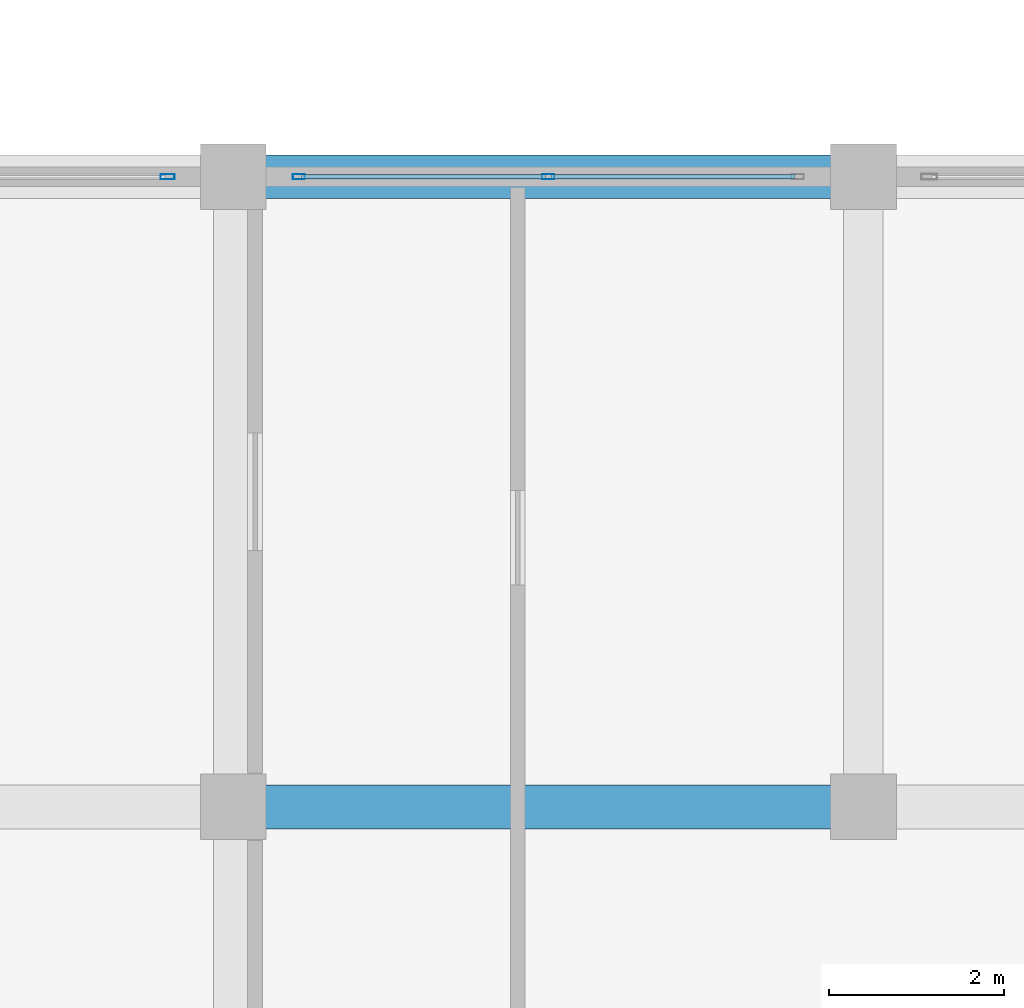
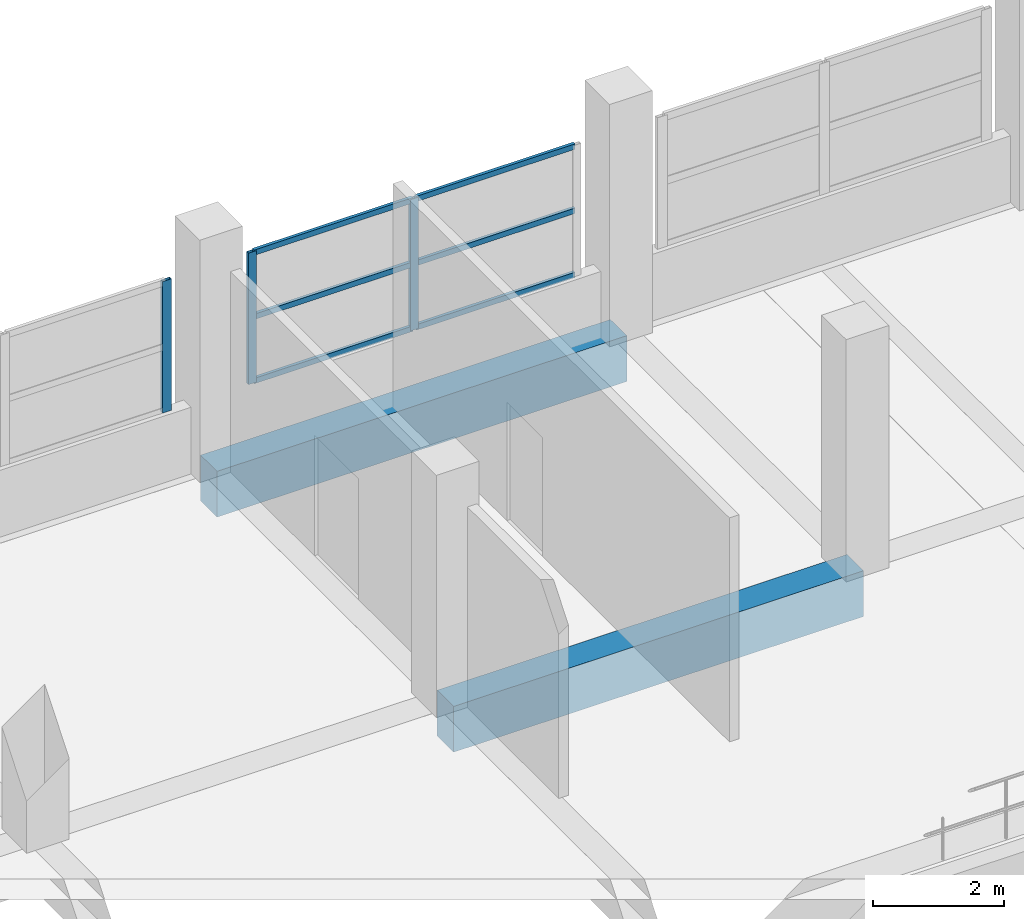
# One storey, part 15 of 141: 9 members, 2 beams, 2 elements without a shape of their own.
"""IFC4 building model written with IfcOpenShell, lengths in metres."""

from ifc_helpers import new_model, si_unit, direction, frame, origin, origin_2d, place, context, subcontext, project, spatial, rectangle, hollow_rectangle, extrude, material, layer, layer_set, material_profile, profile_set, type_object, element, aggregate, save


model = new_model("IFC4")

# Units and contexts
model_context = context("Model", 3, precision=1e-05, world=origin(), true_north=direction((0.0, 1.0)))
body_context = subcontext(model_context, "Body", "Model", "MODEL_VIEW")
ifc_project = project(units=[si_unit("LENGTHUNIT", "METRE"), si_unit("AREAUNIT", "SQUARE_METRE"), si_unit("VOLUMEUNIT", "CUBIC_METRE"), si_unit("PLANEANGLEUNIT", "RADIAN"), si_unit("MASSUNIT", "GRAM", prefix="KILO")], contexts=[model_context])

# Site, building, storey
site_placement = place(None, origin())
site = spatial("IfcSite", under=ifc_project, at=site_placement, CompositionType="ELEMENT")
building_placement = place(site_placement, origin())
building = spatial("IfcBuilding", under=site, at=building_placement, Name="Seraya Terrace Polytechnic", CompositionType="ELEMENT")
storey_placement = place(building_placement, frame((0.0, 0.0, 14.39990234375)))
storey = spatial("IfcBuildingStorey", under=building, at=storey_placement, Name="L03", CompositionType="ELEMENT", Elevation=14.39990234375)

# Beams
ifc_material_1 = material(Name="Concrete C40/50", Category="concrete")
ifc_material_profile_1 = material_profile(ifc_material_1, rectangle(XDim=0.5, YDim=0.85009765625, at=origin_2d()), Name="RC 500x850")
ifc_profile_set_1 = profile_set([ifc_material_profile_1], Name="Concrete C40/50")
beam_type = type_object("IfcBeamType", Name="BM-05", PredefinedType="BEAM", material=ifc_profile_set_1)
for number, where, z_axis, x_axis, name in (
    (1, (57.60009765625, 21.60009765625, -0.4248046875), (1.0, 0.0, 0.0), (0.0, 1.0, 0.0), "Beam BM-05 L03 X (57.6..64.8, 21.6)"),
    (2, (57.60009765625, 28.800048828125, -0.4248046875), (1.0, 0.0, 0.0), (0.0, 1.0, 0.0), "Beam BM-05 L03 X (57.6..64.8, 28.8)"),
):
    element("IfcBeam", number, at=place(storey_placement, frame(where, z_axis=z_axis, x_axis=x_axis)), inside=storey, type_object=beam_type, Name=name, PredefinedType="BEAM", context=body_context, shape_type="SweptSolid", body=[
        extrude(rectangle(XDim=0.5, YDim=0.85009765625, at=origin_2d()), origin(), (0.0, 0.0, 1.0), 7.199951171875),
    ])

# Curtain wall, member
ifc_material_2 = material(Name="Anodised aluminium EN AW-6063 T6", Category="aluminium")
ifc_layer_1 = layer(ifc_material_2, 0.179931640625, Name="CW-08")
ifc_layer_set_1 = layer_set([ifc_layer_1], Name="Anodised aluminium EN AW-6063 T6")
curtain_wall_type_1 = type_object("IfcCurtainWallType", Name="CW-08", PredefinedType="NOTDEFINED", material=ifc_layer_set_1)
curtain_wall_1_placement = place(storey_placement, origin())
curtain_wall_1 = element("IfcCurtainWall", 3, at=curtain_wall_1_placement, inside=storey, type_object=curtain_wall_type_1, Name="Unitised curtain wall CW-08 (CW-L03-152)", PredefinedType="NOTDEFINED")
ifc_material_profile_2 = material_profile(ifc_material_2, hollow_rectangle(XDim=0.06005859375, YDim=0.159912109375, WallThickness=0.00341796875, at=origin_2d()), Name="RHS 160x60x3.5")
ifc_profile_set_2 = profile_set([ifc_material_profile_2], Name="Anodised aluminium EN AW-6063 T6")
member_type_1 = type_object("IfcMemberType", Name="CWM-02", PredefinedType="MULLION", material=ifc_profile_set_2)
member_1_placement = place(storey_placement, frame((56.85009765625, 28.800048828125, 1.239990234375), z_axis=(0.0, 0.0, 1.0), x_axis=(0.0, 1.0, 0.0)))
member_1 = element("IfcMember", 4, at=member_1_placement, type_object=member_type_1, Name="CW-08 mullion 3", PredefinedType="MULLION", context=body_context, shape_type="SweptSolid", body=[
    extrude(hollow_rectangle(XDim=0.06005859375, YDim=0.159912109375, WallThickness=0.00341796875, at=origin_2d()), origin(), (0.0, 0.0, 1.0), 2.440185546875),
])
aggregate(curtain_wall_1, [member_1])

# Curtain wall, members
ifc_layer_2 = layer(ifc_material_2, 0.179931640625, Name="CW-09")
ifc_layer_set_2 = layer_set([ifc_layer_2], Name="Anodised aluminium EN AW-6063 T6")
curtain_wall_type_2 = type_object("IfcCurtainWallType", Name="CW-09", PredefinedType="NOTDEFINED", material=ifc_layer_set_2)
curtain_wall_2_placement = place(storey_placement, origin())
curtain_wall_2 = element("IfcCurtainWall", 5, at=curtain_wall_2_placement, inside=storey, type_object=curtain_wall_type_2, Name="Unitised curtain wall CW-09 (CW-L03-153)", PredefinedType="NOTDEFINED")
ifc_material_profile_3 = material_profile(ifc_material_2, hollow_rectangle(XDim=0.06005859375, YDim=0.139892578125, WallThickness=0.00341796875, at=origin_2d()), Name="RHS 140x60x3.5")
ifc_profile_set_3 = profile_set([ifc_material_profile_3], Name="Anodised aluminium EN AW-6063 T6")
member_type_2 = type_object("IfcMemberType", Name="CWM-03", PredefinedType="MULLION", material=ifc_profile_set_3)
member_2_placement = place(storey_placement, frame((58.35009765625, 28.800048828125, 1.239990234375), z_axis=(0.0, 0.0, 1.0), x_axis=(0.0, 1.0, 0.0)))
member_2 = element("IfcMember", 6, at=member_2_placement, type_object=member_type_2, Name="CW-09 mullion 1", PredefinedType="MULLION", context=body_context, shape_type="SweptSolid", body=[
    extrude(hollow_rectangle(XDim=0.06005859375, YDim=0.139892578125, WallThickness=0.00341796875, at=origin_2d()), origin(), (0.0, 0.0, 1.0), 2.440185546875),
])
member_3_placement = place(storey_placement, frame((61.199951171875, 28.800048828125, 1.239990234375), z_axis=(0.0, 0.0, 1.0), x_axis=(0.0, 1.0, 0.0)))
member_3 = element("IfcMember", 7, at=member_3_placement, type_object=member_type_2, Name="CW-09 mullion 2", PredefinedType="MULLION", context=body_context, shape_type="SweptSolid", body=[
    extrude(hollow_rectangle(XDim=0.06005859375, YDim=0.139892578125, WallThickness=0.00341796875, at=origin_2d()), origin(), (0.0, 0.0, 1.0), 2.440185546875),
])
ifc_material_profile_4 = material_profile(ifc_material_2, hollow_rectangle(XDim=0.054931640625, YDim=0.10009765625, WallThickness=0.0029296875, at=origin_2d()), Name="RHS 100x55x3.0")
ifc_profile_set_4 = profile_set([ifc_material_profile_4], Name="Anodised aluminium EN AW-6063 T6")
member_type_3 = type_object("IfcMemberType", Name="CWT-03", PredefinedType="USERDEFINED", material=ifc_profile_set_4)
member_4_placement = place(storey_placement, frame((58.3798828125, 28.800048828125, 1.267578125), z_axis=(1.0, 0.0, 0.0), x_axis=(0.0, 1.0, 0.0)))
member_4 = element("IfcMember", 8, at=member_4_placement, type_object=member_type_3, Name="CW-09 transom 1.1", ObjectType="TRANSOM", PredefinedType="USERDEFINED", context=body_context, shape_type="SweptSolid", body=[
    extrude(hollow_rectangle(XDim=0.054931640625, YDim=0.10009765625, WallThickness=0.0029296875, at=origin_2d()), origin(), (0.0, 0.0, 1.0), 2.7900390625),
])
member_5_placement = place(storey_placement, frame((58.3798828125, 28.800048828125, 2.460205078125), z_axis=(1.0, 0.0, 0.0), x_axis=(0.0, 1.0, 0.0)))
member_5 = element("IfcMember", 9, at=member_5_placement, type_object=member_type_3, Name="CW-09 transom 1.2", ObjectType="TRANSOM", PredefinedType="USERDEFINED", context=body_context, shape_type="SweptSolid", body=[
    extrude(hollow_rectangle(XDim=0.054931640625, YDim=0.10009765625, WallThickness=0.0029296875, at=origin_2d()), origin(), (0.0, 0.0, 1.0), 2.7900390625),
])
member_6_placement = place(storey_placement, frame((58.3798828125, 28.800048828125, 3.652587890625), z_axis=(1.0, 0.0, 0.0), x_axis=(0.0, 1.0, 0.0)))
member_6 = element("IfcMember", 10, at=member_6_placement, type_object=member_type_3, Name="CW-09 transom 1.3", ObjectType="TRANSOM", PredefinedType="USERDEFINED", context=body_context, shape_type="SweptSolid", body=[
    extrude(hollow_rectangle(XDim=0.054931640625, YDim=0.10009765625, WallThickness=0.0029296875, at=origin_2d()), origin(), (0.0, 0.0, 1.0), 2.7900390625),
])
member_7_placement = place(storey_placement, frame((61.22998046875, 28.800048828125, 1.267578125), z_axis=(1.0, 0.0, 0.0), x_axis=(0.0, 1.0, 0.0)))
member_7 = element("IfcMember", 11, at=member_7_placement, type_object=member_type_3, Name="CW-09 transom 2.1", ObjectType="TRANSOM", PredefinedType="USERDEFINED", context=body_context, shape_type="SweptSolid", body=[
    extrude(hollow_rectangle(XDim=0.054931640625, YDim=0.10009765625, WallThickness=0.0029296875, at=origin_2d()), origin(), (0.0, 0.0, 1.0), 2.7900390625),
])
member_8_placement = place(storey_placement, frame((61.22998046875, 28.800048828125, 2.460205078125), z_axis=(1.0, 0.0, 0.0), x_axis=(0.0, 1.0, 0.0)))
member_8 = element("IfcMember", 12, at=member_8_placement, type_object=member_type_3, Name="CW-09 transom 2.2", ObjectType="TRANSOM", PredefinedType="USERDEFINED", context=body_context, shape_type="SweptSolid", body=[
    extrude(hollow_rectangle(XDim=0.054931640625, YDim=0.10009765625, WallThickness=0.0029296875, at=origin_2d()), origin(), (0.0, 0.0, 1.0), 2.7900390625),
])
member_9_placement = place(storey_placement, frame((61.22998046875, 28.800048828125, 3.652587890625), z_axis=(1.0, 0.0, 0.0), x_axis=(0.0, 1.0, 0.0)))
member_9 = element("IfcMember", 13, at=member_9_placement, type_object=member_type_3, Name="CW-09 transom 2.3", ObjectType="TRANSOM", PredefinedType="USERDEFINED", context=body_context, shape_type="SweptSolid", body=[
    extrude(hollow_rectangle(XDim=0.054931640625, YDim=0.10009765625, WallThickness=0.0029296875, at=origin_2d()), origin(), (0.0, 0.0, 1.0), 2.7900390625),
])
aggregate(curtain_wall_2, [member_2, member_3, member_4, member_5, member_6, member_7, member_8, member_9])

save(model, "model.ifc")
